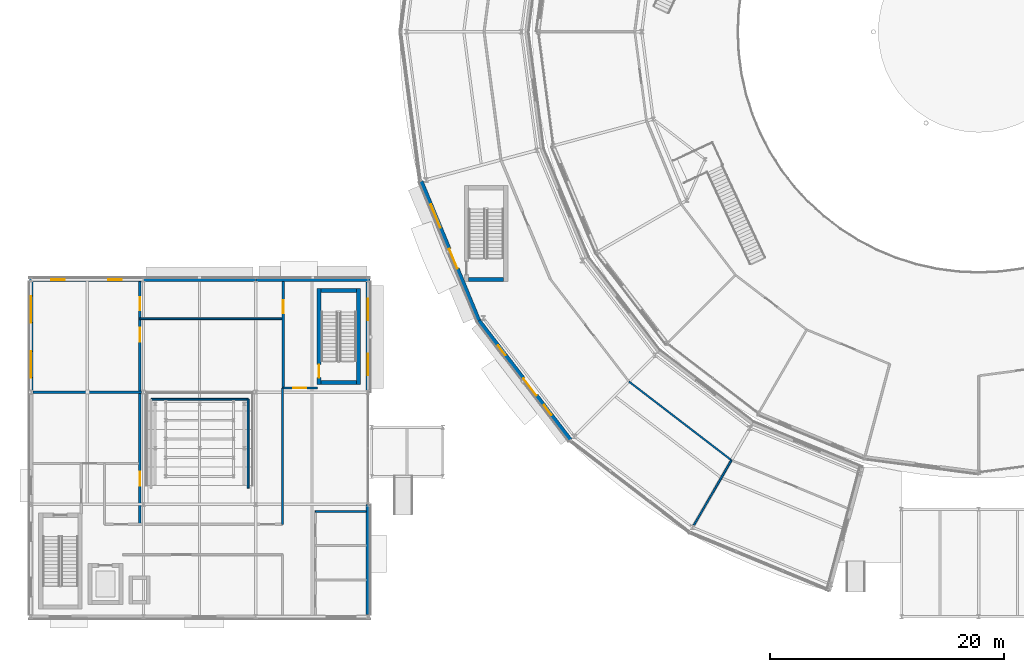
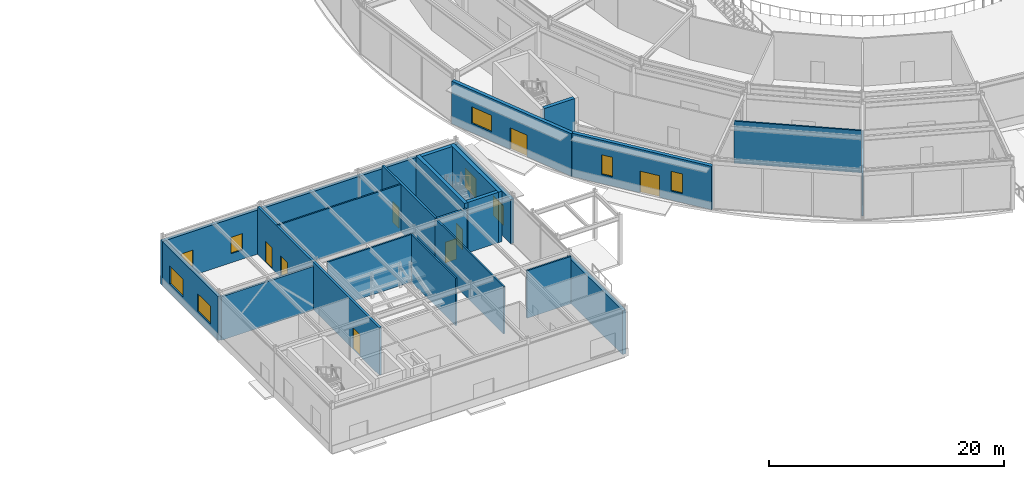
# One storey, part 118 of 168: 24 walls, 9 windows, 8 doors, 17 openings.
"""IFC4 building model written with IfcOpenShell, lengths in metres."""

from ifc_helpers import new_model, si_unit, direction, frame, frame_2d, origin, place, context, subcontext, project, spatial, rectangle, extrude, material, layer, layer_set, type_object, element, fill, save


model = new_model("IFC4")

# Units and contexts
model_context = context("Model", 3, precision=1e-05, world=origin(), true_north=direction((0.0, 1.0)))
body_context = subcontext(model_context, "Body", "Model", "MODEL_VIEW")
ifc_project = project(units=[si_unit("LENGTHUNIT", "METRE"), si_unit("AREAUNIT", "SQUARE_METRE"), si_unit("VOLUMEUNIT", "CUBIC_METRE"), si_unit("PLANEANGLEUNIT", "RADIAN"), si_unit("MASSUNIT", "GRAM", prefix="KILO")], contexts=[model_context])

# Site, building, storey
site_placement = place(None, origin())
site = spatial("IfcSite", under=ifc_project, at=site_placement, CompositionType="ELEMENT")
building_placement = place(site_placement, origin())
building = spatial("IfcBuilding", under=site, at=building_placement, Name="Almandine Court Research Institute", CompositionType="ELEMENT")
storey_placement = place(building_placement, origin())
storey = spatial("IfcBuildingStorey", under=building, at=storey_placement, Name="L00", CompositionType="ELEMENT", Elevation=0.0)

# Wall, openings, doors
ifc_material_1 = material(Name="STC-55 Double-Stud Lecture Acoustic Wall")
ifc_layer_1 = layer(ifc_material_1, 0.22509765625)
ifc_layer_set_1 = layer_set([ifc_layer_1], Name="STC-55 Double-Stud Lecture Acoustic Wall")
wall_type_1 = type_object("IfcWallType", Name="Wall-ACOUSTIC-225", PredefinedType="SOLIDWALL", material=ifc_layer_set_1)
wall_1_placement = place(storey_placement, frame((15.300048828125, 13.89990234375, 0.0), z_axis=(0.0, 0.0, 1.0), x_axis=(0.0, 1.0, 0.0)))
wall_1 = element("IfcWall", 1, at=wall_1_placement, inside=storey, type_object=wall_type_1, Name="L00 Interior Partition W-V1-L00-LECW", PredefinedType="SOLIDWALL", context=body_context, shape_type="SweptSolid", body=[
    extrude(rectangle(XDim=20.739990234375, YDim=0.22509765625, at=frame_2d((10.3701171875, 0.0))), origin(), (0.0, 0.0, 1.0), 4.929931640625),
])
opening_1_placement = place(wall_1_placement, frame((3.300048828125, 0.0, 0.0)))
opening_1 = element("IfcOpeningElement", 2, at=opening_1_placement, cuts=wall_1, Name="Opening D-04", PredefinedType="OPENING", context=body_context, shape_type="SweptSolid", body=[
    extrude(rectangle(XDim=1.199951171875, YDim=2.199951171875, at=frame_2d((0.60009765625, 1.10009765625))), frame((0.0, 0.12255859375, 0.0), z_axis=(0.0, -1.0, 0.0), x_axis=(1.0, 0.0, 0.0)), (0.0, 0.0, 1.0), 0.2451171875),
])
opening_2_placement = place(wall_1_placement, frame((15.60009765625, 0.0, 0.0)))
opening_2 = element("IfcOpeningElement", 3, at=opening_2_placement, cuts=wall_1, Name="Opening D-04", PredefinedType="OPENING", context=body_context, shape_type="SweptSolid", body=[
    extrude(rectangle(XDim=1.199951171875, YDim=2.199951171875, at=frame_2d((0.60009765625, 1.10009765625))), frame((0.0, 0.12255859375, 0.0), z_axis=(0.0, -1.0, 0.0), x_axis=(1.0, 0.0, 0.0)), (0.0, 0.0, 1.0), 0.2451171875),
])
opening_3_placement = place(wall_1_placement, frame((18.300048828125, 0.0, 0.0)))
opening_3 = element("IfcOpeningElement", 4, at=opening_3_placement, cuts=wall_1, Name="Opening D-03", PredefinedType="OPENING", context=body_context, shape_type="SweptSolid", body=[
    extrude(rectangle(XDim=1.10009765625, YDim=2.199951171875, at=frame_2d((0.550048828125, 1.10009765625))), frame((0.0, 0.12255859375, 0.0), z_axis=(0.0, -1.0, 0.0), x_axis=(1.0, 0.0, 0.0)), (0.0, 0.0, 1.0), 0.2451171875),
])
ifc_material_2 = material(Name="Acoustic Vision-Panel Seminar Door")
door_type_1 = type_object("IfcDoorType", Name="Door-INT-1100", OperationType="NOTDEFINED", PredefinedType="DOOR", material=ifc_material_2)
door_1_placement = place(opening_3_placement, origin())
door_1 = element("IfcDoor", 5, at=door_1_placement, inside=storey, type_object=door_type_1, Name="L00 Symposium Seminar North Door", OperationType="SINGLE_SWING_RIGHT", OverallHeight=2.199951171875, OverallWidth=1.10009765625, PredefinedType="DOOR", context=body_context, shape_type="SweptSolid", body=[
    extrude(rectangle(XDim=1.10009765625, YDim=2.199951171875, at=frame_2d((0.550048828125, 1.10009765625))), frame((0.0, 0.02490234375, 0.0), z_axis=(0.0, -1.0, 0.0), x_axis=(1.0, 0.0, 0.0)), (0.0, 0.0, 1.0), 0.050048828125),
])
fill(opening_3, door_1)
ifc_material_3 = material(Name="Wide Acoustic Laboratory Suite Door")
door_type_2 = type_object("IfcDoorType", Name="Door-INT-1200", OperationType="NOTDEFINED", PredefinedType="DOOR", material=ifc_material_3)
door_2_placement = place(opening_1_placement, origin())
door_2 = element("IfcDoor", 6, at=door_2_placement, inside=storey, type_object=door_type_2, Name="L00 Lecture Theatre Front Pit Door", OperationType="SINGLE_SWING_RIGHT", OverallHeight=2.199951171875, OverallWidth=1.199951171875, PredefinedType="DOOR", context=body_context, shape_type="SweptSolid", body=[
    extrude(rectangle(XDim=1.199951171875, YDim=2.199951171875, at=frame_2d((0.60009765625, 1.10009765625))), frame((0.0, 0.02490234375, 0.0), z_axis=(0.0, -1.0, 0.0), x_axis=(1.0, 0.0, 0.0)), (0.0, 0.0, 1.0), 0.050048828125),
])
fill(opening_1, door_2)
door_3_placement = place(opening_2_placement, origin())
door_3 = element("IfcDoor", 7, at=door_3_placement, inside=storey, type_object=door_type_2, Name="L00 Lecture Stage Side Door", OperationType="SINGLE_SWING_LEFT", OverallHeight=2.199951171875, OverallWidth=1.199951171875, PredefinedType="DOOR", context=body_context, shape_type="SweptSolid", body=[
    extrude(rectangle(XDim=1.199951171875, YDim=2.199951171875, at=frame_2d((0.60009765625, 1.10009765625))), frame((0.0, 0.02490234375, 0.0), z_axis=(0.0, -1.0, 0.0), x_axis=(1.0, 0.0, 0.0)), (0.0, 0.0, 1.0), 0.050048828125),
])
fill(opening_2, door_3)

# Wall, openings, windows
ifc_material_4 = material(Name="Acoustic Lecture Pavilion Masonry Wall", Category="masonry")
ifc_layer_2 = layer(ifc_material_4, 0.31005859375)
ifc_layer_set_2 = layer_set([ifc_layer_2], Name="Acoustic Lecture Pavilion Masonry Wall")
wall_type_2 = type_object("IfcWallType", Name="Wall-EXT-ACOU-310", PredefinedType="SOLIDWALL", material=ifc_layer_set_2)
wall_2_placement = place(storey_placement, frame((6.0, 25.2041015625, 0.0), z_axis=(0.0, 0.0, 1.0), x_axis=(0.0, 1.0, 0.0)))
wall_2 = element("IfcWall", 8, at=wall_2_placement, inside=storey, type_object=wall_type_2, Name="L00 Lecture Pavilion West Acoustic Wall 3", PredefinedType="SOLIDWALL", context=body_context, shape_type="SweptSolid", body=[
    extrude(rectangle(XDim=9.43701171875, YDim=0.31005859375, at=frame_2d((4.718505859375, 0.0))), origin(), (0.0, 0.0, 1.0), 4.583984375),
])
opening_4_placement = place(wall_2_placement, frame((1.22900390625, 0.0, 0.949951171875)))
opening_4 = element("IfcOpeningElement", 9, at=opening_4_placement, cuts=wall_2, Name="Opening WN-02", PredefinedType="OPENING", context=body_context, shape_type="SweptSolid", body=[
    extrude(rectangle(XDim=2.260009765625, YDim=1.860107421875, at=frame_2d((1.1298828125, 0.93017578125))), frame((0.0, 0.1650390625, 0.0), z_axis=(0.0, -1.0, 0.0), x_axis=(1.0, 0.0, 0.0)), (0.0, 0.0, 1.0), 0.330078125),
])
opening_5_placement = place(wall_2_placement, frame((5.947998046875, 0.0, 0.949951171875)))
opening_5 = element("IfcOpeningElement", 10, at=opening_5_placement, cuts=wall_2, Name="Opening WN-02", PredefinedType="OPENING", context=body_context, shape_type="SweptSolid", body=[
    extrude(rectangle(XDim=2.260009765625, YDim=1.860107421875, at=frame_2d((1.1298828125, 0.93017578125))), frame((0.0, 0.1650390625, 0.0), z_axis=(0.0, -1.0, 0.0), x_axis=(1.0, 0.0, 0.0)), (0.0, 0.0, 1.0), 0.330078125),
])
ifc_material_5 = material(Name="Thermally Broken Low-E Double-Glazed Window", Category="glass")
window_type_1 = type_object("IfcWindowType", Name="Win-WN-02-2260x1860", PartitioningType="SINGLE_PANEL", PredefinedType="WINDOW", material=ifc_material_5)
window_1_placement = place(opening_4_placement, origin())
window_1 = element("IfcWindow", 11, at=window_1_placement, inside=storey, type_object=window_type_1, Name="L00 Modular Recessed Low-E Window 3", OverallHeight=1.860107421875, OverallWidth=2.260009765625, PartitioningType="SINGLE_PANEL", PredefinedType="WINDOW", context=body_context, shape_type="SweptSolid", body=[
    extrude(rectangle(XDim=2.260009765625, YDim=1.860107421875, at=frame_2d((1.1298828125, 0.93017578125))), frame((0.0, 0.030029296875, 0.0), z_axis=(0.0, -1.0, 0.0), x_axis=(1.0, 0.0, 0.0)), (0.0, 0.0, 1.0), 0.06005859375),
])
fill(opening_4, window_1)
window_2_placement = place(opening_5_placement, origin())
window_2 = element("IfcWindow", 12, at=window_2_placement, inside=storey, type_object=window_type_1, Name="L00 Modular Recessed Low-E Window 4", OverallHeight=1.860107421875, OverallWidth=2.260009765625, PartitioningType="SINGLE_PANEL", PredefinedType="WINDOW", context=body_context, shape_type="SweptSolid", body=[
    extrude(rectangle(XDim=2.260009765625, YDim=1.860107421875, at=frame_2d((1.1298828125, 0.93017578125))), frame((0.0, 0.030029296875, 0.0), z_axis=(0.0, -1.0, 0.0), x_axis=(1.0, 0.0, 0.0)), (0.0, 0.0, 1.0), 0.06005859375),
])
fill(opening_5, window_2)

wall_3_placement = place(storey_placement, frame((5.844970703125, 34.800048828125, 0.0), z_axis=(0.0, 0.0, 1.0), x_axis=(1.0, 0.0, 0.0)))
wall_3 = element("IfcWall", 13, at=wall_3_placement, inside=storey, type_object=wall_type_2, Name="L00 Lecture Pavilion North Wall 1", PredefinedType="SOLIDWALL", context=body_context, shape_type="SweptSolid", body=[
    extrude(rectangle(XDim=9.7509765625, YDim=0.31005859375, at=frame_2d((4.87548828125, 0.0))), origin(), (0.0, 0.0, 1.0), 4.583984375),
])
opening_6_placement = place(wall_3_placement, frame((1.85791015625, 0.0, 0.949951171875)))
opening_6 = element("IfcOpeningElement", 14, at=opening_6_placement, cuts=wall_3, Name="Opening WN-03", PredefinedType="OPENING", context=body_context, shape_type="SweptSolid", body=[
    extrude(rectangle(XDim=1.159912109375, YDim=1.699951171875, at=frame_2d((0.580078125, 0.85009765625))), frame((0.0, 0.1650390625, 0.0), z_axis=(0.0, -1.0, 0.0), x_axis=(1.0, 0.0, 0.0)), (0.0, 0.0, 1.0), 0.330078125),
])
opening_7_placement = place(wall_3_placement, frame((6.73291015625, 0.0, 0.949951171875)))
opening_7 = element("IfcOpeningElement", 15, at=opening_7_placement, cuts=wall_3, Name="Opening WN-03", PredefinedType="OPENING", context=body_context, shape_type="SweptSolid", body=[
    extrude(rectangle(XDim=1.159912109375, YDim=1.699951171875, at=frame_2d((0.580078125, 0.85009765625))), frame((0.0, 0.1650390625, 0.0), z_axis=(0.0, -1.0, 0.0), x_axis=(1.0, 0.0, 0.0)), (0.0, 0.0, 1.0), 0.330078125),
])
window_type_2 = type_object("IfcWindowType", Name="Win-WN-03-1160x1700", PartitioningType="SINGLE_PANEL", PredefinedType="WINDOW", material=ifc_material_5)
window_3_placement = place(opening_6_placement, origin())
window_3 = element("IfcWindow", 16, at=window_3_placement, inside=storey, type_object=window_type_2, Name="L00 Modular Recessed Low-E Window 5", OverallHeight=1.699951171875, OverallWidth=1.159912109375, PartitioningType="SINGLE_PANEL", PredefinedType="WINDOW", context=body_context, shape_type="SweptSolid", body=[
    extrude(rectangle(XDim=1.159912109375, YDim=1.699951171875, at=frame_2d((0.580078125, 0.85009765625))), frame((0.0, 0.030029296875, 0.0), z_axis=(0.0, -1.0, 0.0), x_axis=(1.0, 0.0, 0.0)), (0.0, 0.0, 1.0), 0.06005859375),
])
fill(opening_6, window_3)
window_4_placement = place(opening_7_placement, origin())
window_4 = element("IfcWindow", 17, at=window_4_placement, inside=storey, type_object=window_type_2, Name="L00 Modular Recessed Low-E Window 6", OverallHeight=1.699951171875, OverallWidth=1.159912109375, PartitioningType="SINGLE_PANEL", PredefinedType="WINDOW", context=body_context, shape_type="SweptSolid", body=[
    extrude(rectangle(XDim=1.159912109375, YDim=1.699951171875, at=frame_2d((0.580078125, 0.85009765625))), frame((0.0, 0.030029296875, 0.0), z_axis=(0.0, -1.0, 0.0), x_axis=(1.0, 0.0, 0.0)), (0.0, 0.0, 1.0), 0.06005859375),
])
fill(opening_7, window_4)

# Walls
wall_4_placement = place(storey_placement, frame((15.60400390625, 34.800048828125, 0.0), z_axis=(0.0, 0.0, 1.0), x_axis=(1.0, 0.0, 0.0)))
element("IfcWall", 18, at=wall_4_placement, inside=storey, type_object=wall_type_2, Name="L00 Lecture Pavilion North Wall 2", PredefinedType="SOLIDWALL", context=body_context, shape_type="SweptSolid", body=[
    extrude(rectangle(XDim=9.592041015625, YDim=0.31005859375, at=frame_2d((4.7958984375, 0.0))), origin(), (0.0, 0.0, 1.0), 4.583984375),
])
wall_5_placement = place(storey_placement, frame((25.2041015625, 34.800048828125, 0.0), z_axis=(0.0, 0.0, 1.0), x_axis=(1.0, 0.0, 0.0)))
element("IfcWall", 19, at=wall_5_placement, inside=storey, type_object=wall_type_2, Name="L00 Lecture Pavilion North Wall 3", PredefinedType="SOLIDWALL", context=body_context, shape_type="SweptSolid", body=[
    extrude(rectangle(XDim=9.7509765625, YDim=0.31005859375, at=frame_2d((4.87548828125, 0.0))), origin(), (0.0, 0.0, 1.0), 4.583984375),
])
ifc_material_6 = material(Name="Andean Red-Buff Sandstone Plinth Wall", Category="masonry")
ifc_layer_3 = layer(ifc_material_6, 0.340087890625)
ifc_layer_set_3 = layer_set([ifc_layer_3], Name="Andean Red-Buff Sandstone Plinth Wall")
wall_type_3 = type_object("IfcWallType", Name="Wall-EXT-SAND-340", PredefinedType="SOLIDWALL", material=ifc_layer_set_3)
wall_6_placement = place(storey_placement, frame((34.800048828125, 15.595947265625, 0.0), z_axis=(0.0, 0.0, 1.0), x_axis=(0.0, -1.0, 0.0)))
element("IfcWall", 20, at=wall_6_placement, inside=storey, type_object=wall_type_3, Name="L00 Lecture Pavilion East Wall 1", PredefinedType="SOLIDWALL", context=body_context, shape_type="SweptSolid", body=[
    extrude(rectangle(XDim=9.421875, YDim=0.340087890625, at=frame_2d((4.7109375, 0.0))), origin(), (0.0, 0.0, 1.0), 4.583984375),
])

# Wall, openings, windows
wall_7_placement = place(storey_placement, frame((34.800048828125, 34.6259765625, 0.0), z_axis=(0.0, 0.0, 1.0), x_axis=(0.0, -1.0, 0.0)))
wall_7 = element("IfcWall", 21, at=wall_7_placement, inside=storey, type_object=wall_type_3, Name="L00 Lecture Pavilion East Wall 3", PredefinedType="SOLIDWALL", context=body_context, shape_type="SweptSolid", body=[
    extrude(rectangle(XDim=9.421875, YDim=0.340087890625, at=frame_2d((4.7109375, 0.0))), origin(), (0.0, 0.0, 1.0), 4.583984375),
])
opening_8_placement = place(wall_7_placement, frame((1.445068359375, 0.0, 0.949951171875)))
opening_8 = element("IfcOpeningElement", 22, at=opening_8_placement, cuts=wall_7, Name="Opening WN-04", PredefinedType="OPENING", context=body_context, shape_type="SweptSolid", body=[
    extrude(rectangle(XDim=1.820068359375, YDim=2.02001953125, at=frame_2d((0.91015625, 1.010009765625))), frame((0.0, 0.179931640625, 0.0), z_axis=(0.0, -1.0, 0.0), x_axis=(1.0, 0.0, 0.0)), (0.0, 0.0, 1.0), 0.360107421875),
])
opening_9_placement = place(wall_7_placement, frame((6.156005859375, 0.0, 0.949951171875)))
opening_9 = element("IfcOpeningElement", 23, at=opening_9_placement, cuts=wall_7, Name="Opening WN-04", PredefinedType="OPENING", context=body_context, shape_type="SweptSolid", body=[
    extrude(rectangle(XDim=1.820068359375, YDim=2.02001953125, at=frame_2d((0.91015625, 1.010009765625))), frame((0.0, 0.179931640625, 0.0), z_axis=(0.0, -1.0, 0.0), x_axis=(1.0, 0.0, 0.0)), (0.0, 0.0, 1.0), 0.360107421875),
])
window_type_3 = type_object("IfcWindowType", Name="Win-WN-04-1820x2020", PartitioningType="SINGLE_PANEL", PredefinedType="WINDOW", material=ifc_material_5)
window_5_placement = place(opening_8_placement, origin())
window_5 = element("IfcWindow", 24, at=window_5_placement, inside=storey, type_object=window_type_3, Name="L00 Modular Recessed Low-E Window 7", OverallHeight=2.02001953125, OverallWidth=1.820068359375, PartitioningType="SINGLE_PANEL", PredefinedType="WINDOW", context=body_context, shape_type="SweptSolid", body=[
    extrude(rectangle(XDim=1.820068359375, YDim=2.02001953125, at=frame_2d((0.91015625, 1.010009765625))), frame((0.0, 0.030029296875, 0.0), z_axis=(0.0, -1.0, 0.0), x_axis=(1.0, 0.0, 0.0)), (0.0, 0.0, 1.0), 0.06005859375),
])
fill(opening_8, window_5)
window_6_placement = place(opening_9_placement, origin())
window_6 = element("IfcWindow", 25, at=window_6_placement, inside=storey, type_object=window_type_3, Name="L00 Modular Recessed Low-E Window 8", OverallHeight=2.02001953125, OverallWidth=1.820068359375, PartitioningType="SINGLE_PANEL", PredefinedType="WINDOW", context=body_context, shape_type="SweptSolid", body=[
    extrude(rectangle(XDim=1.820068359375, YDim=2.02001953125, at=frame_2d((0.91015625, 1.010009765625))), frame((0.0, 0.030029296875, 0.0), z_axis=(0.0, -1.0, 0.0), x_axis=(1.0, 0.0, 0.0)), (0.0, 0.0, 1.0), 0.06005859375),
])
fill(opening_9, window_6)

# Wall, openings, door, window
wall_8_placement = place(storey_placement, frame((44.26806640625, 31.3349609375, 0.0), z_axis=(0.0, 0.0, 1.0), x_axis=(-0.382709793584, 0.923868612896, 0.0)))
wall_8 = element("IfcWall", 26, at=wall_8_placement, inside=storey, type_object=wall_type_3, Name="L00 Drum Outer Facade Wall 13", PredefinedType="SOLIDWALL", context=body_context, shape_type="SweptSolid", body=[
    extrude(rectangle(XDim=12.868896484375, YDim=0.340087890625, at=frame_2d((6.4345703125, 0.0))), origin(), (0.0, 0.0, 1.0), 4.43310546875),
])
opening_10_placement = place(wall_8_placement, frame((4.800048828125, 0.0, 0.0)))
opening_10 = element("IfcOpeningElement", 27, at=opening_10_placement, cuts=wall_8, Name="Opening EX-02", PredefinedType="OPENING", context=body_context, shape_type="SweptSolid", body=[
    extrude(rectangle(XDim=1.800048828125, YDim=2.25, at=frame_2d((0.89990234375, 1.125))), frame((0.0, 0.179931640625, 0.0), z_axis=(0.0, -1.0, 0.0), x_axis=(1.0, 0.0, 0.0)), (0.0, 0.0, 1.0), 0.360107421875),
])
opening_11_placement = place(wall_8_placement, frame((8.576904296875, 0.0, 0.949951171875)))
opening_11 = element("IfcOpeningElement", 28, at=opening_11_placement, cuts=wall_8, Name="Opening WN-108", PredefinedType="OPENING", context=body_context, shape_type="SweptSolid", body=[
    extrude(rectangle(XDim=2.14990234375, YDim=1.72998046875, at=frame_2d((1.074951171875, 0.864990234375))), frame((0.0, 0.179931640625, 0.0), z_axis=(0.0, -1.0, 0.0), x_axis=(1.0, 0.0, 0.0)), (0.0, 0.0, 1.0), 0.360107421875),
])
ifc_material_7 = material(Name="Anodised Aluminium Exit Discharge Door", Category="aluminium")
door_type_3 = type_object("IfcDoorType", Name="Door-EX-1800", OperationType="DOUBLE_DOOR_SINGLE_SWING", PredefinedType="DOOR", material=ifc_material_7)
door_4_placement = place(opening_10_placement, origin())
door_4 = element("IfcDoor", 29, at=door_4_placement, inside=storey, type_object=door_type_3, Name="L00 Drum Courtyard Exit Door 13", OperationType="DOUBLE_DOOR_SINGLE_SWING", OverallHeight=2.25, OverallWidth=1.800048828125, PredefinedType="DOOR", context=body_context, shape_type="SweptSolid", body=[
    extrude(rectangle(XDim=1.800048828125, YDim=2.25, at=frame_2d((0.89990234375, 1.125))), frame((0.0, 0.02490234375, 0.0), z_axis=(0.0, -1.0, 0.0), x_axis=(1.0, 0.0, 0.0)), (0.0, 0.0, 1.0), 0.050048828125),
])
fill(opening_10, door_4)
window_type_4 = type_object("IfcWindowType", Name="Win-WN-108-2150x1730", PartitioningType="SINGLE_PANEL", PredefinedType="WINDOW", material=ifc_material_5)
window_7_placement = place(opening_11_placement, origin())
window_7 = element("IfcWindow", 30, at=window_7_placement, inside=storey, type_object=window_type_4, Name="L00 Modular Recessed Low-E Window 232", OverallHeight=1.72998046875, OverallWidth=2.14990234375, PartitioningType="SINGLE_PANEL", PredefinedType="WINDOW", context=body_context, shape_type="SweptSolid", body=[
    extrude(rectangle(XDim=2.14990234375, YDim=1.72998046875, at=frame_2d((1.074951171875, 0.864990234375))), frame((0.0, 0.030029296875, 0.0), z_axis=(0.0, -1.0, 0.0), x_axis=(1.0, 0.0, 0.0)), (0.0, 0.0, 1.0), 0.06005859375),
])
fill(opening_11, window_7)

# Wall, openings, door, windows
wall_9_placement = place(storey_placement, frame((52.10791015625, 21.115966796875, 0.0), z_axis=(0.0, 0.0, 1.0), x_axis=(-0.608778799465, 0.79334001117, 0.0)))
wall_9 = element("IfcWall", 31, at=wall_9_placement, inside=storey, type_object=wall_type_3, Name="L00 Drum Outer Facade Wall 14", PredefinedType="SOLIDWALL", context=body_context, shape_type="SweptSolid", body=[
    extrude(rectangle(XDim=12.868408203125, YDim=0.340087890625, at=frame_2d((6.43408203125, 0.0))), origin(), (0.0, 0.0, 1.0), 4.51611328125),
])
opening_12_placement = place(wall_9_placement, frame((4.800048828125, 0.0, 0.0)))
opening_12 = element("IfcOpeningElement", 32, at=opening_12_placement, cuts=wall_9, Name="Opening EX-02", PredefinedType="OPENING", context=body_context, shape_type="SweptSolid", body=[
    extrude(rectangle(XDim=1.800048828125, YDim=2.25, at=frame_2d((0.89990234375, 1.125))), frame((0.0, 0.179931640625, 0.0), z_axis=(0.0, -1.0, 0.0), x_axis=(1.0, 0.0, 0.0)), (0.0, 0.0, 1.0), 0.360107421875),
])
opening_13_placement = place(wall_9_placement, frame((2.69189453125, 0.0, 0.949951171875)))
opening_13 = element("IfcOpeningElement", 33, at=opening_13_placement, cuts=wall_9, Name="Opening WN-110", PredefinedType="OPENING", context=body_context, shape_type="SweptSolid", body=[
    extrude(rectangle(XDim=1.050048828125, YDim=2.050048828125, at=frame_2d((0.52490234375, 1.02490234375))), frame((0.0, 0.179931640625, 0.0), z_axis=(0.0, -1.0, 0.0), x_axis=(1.0, 0.0, 0.0)), (0.0, 0.0, 1.0), 0.360107421875),
])
opening_14_placement = place(wall_9_placement, frame((9.1259765625, 0.0, 0.949951171875)))
opening_14 = element("IfcOpeningElement", 34, at=opening_14_placement, cuts=wall_9, Name="Opening WN-110", PredefinedType="OPENING", context=body_context, shape_type="SweptSolid", body=[
    extrude(rectangle(XDim=1.050048828125, YDim=2.050048828125, at=frame_2d((0.52490234375, 1.02490234375))), frame((0.0, 0.179931640625, 0.0), z_axis=(0.0, -1.0, 0.0), x_axis=(1.0, 0.0, 0.0)), (0.0, 0.0, 1.0), 0.360107421875),
])
door_5_placement = place(opening_12_placement, origin())
door_5 = element("IfcDoor", 35, at=door_5_placement, inside=storey, type_object=door_type_3, Name="L00 Drum Courtyard Exit Door 14", OperationType="DOUBLE_DOOR_SINGLE_SWING", OverallHeight=2.25, OverallWidth=1.800048828125, PredefinedType="DOOR", context=body_context, shape_type="SweptSolid", body=[
    extrude(rectangle(XDim=1.800048828125, YDim=2.25, at=frame_2d((0.89990234375, 1.125))), frame((0.0, 0.02490234375, 0.0), z_axis=(0.0, -1.0, 0.0), x_axis=(1.0, 0.0, 0.0)), (0.0, 0.0, 1.0), 0.050048828125),
])
fill(opening_12, door_5)
window_type_5 = type_object("IfcWindowType", Name="Win-WN-110-1050x2050", PartitioningType="SINGLE_PANEL", PredefinedType="WINDOW", material=ifc_material_5)
window_8_placement = place(opening_13_placement, origin())
window_8 = element("IfcWindow", 36, at=window_8_placement, inside=storey, type_object=window_type_5, Name="L00 Modular Recessed Low-E Window 234", OverallHeight=2.050048828125, OverallWidth=1.050048828125, PartitioningType="SINGLE_PANEL", PredefinedType="WINDOW", context=body_context, shape_type="SweptSolid", body=[
    extrude(rectangle(XDim=1.050048828125, YDim=2.050048828125, at=frame_2d((0.52490234375, 1.02490234375))), frame((0.0, 0.030029296875, 0.0), z_axis=(0.0, -1.0, 0.0), x_axis=(1.0, 0.0, 0.0)), (0.0, 0.0, 1.0), 0.06005859375),
])
fill(opening_13, window_8)
window_9_placement = place(opening_14_placement, origin())
window_9 = element("IfcWindow", 37, at=window_9_placement, inside=storey, type_object=window_type_5, Name="L00 Modular Recessed Low-E Window 235", OverallHeight=2.050048828125, OverallWidth=1.050048828125, PartitioningType="SINGLE_PANEL", PredefinedType="WINDOW", context=body_context, shape_type="SweptSolid", body=[
    extrude(rectangle(XDim=1.050048828125, YDim=2.050048828125, at=frame_2d((0.52490234375, 1.02490234375))), frame((0.0, 0.030029296875, 0.0), z_axis=(0.0, -1.0, 0.0), x_axis=(1.0, 0.0, 0.0)), (0.0, 0.0, 1.0), 0.06005859375),
])
fill(opening_14, window_9)

# Wall
ifc_material_8 = material(Name="Two-Hour Fire-Barrier Enclosure Wall")
ifc_layer_4 = layer(ifc_material_8, 0.199951171875)
ifc_layer_set_4 = layer_set([ifc_layer_4], Name="Two-Hour Fire-Barrier Enclosure Wall")
wall_type_4 = type_object("IfcWallType", Name="Wall-FIRE-200", PredefinedType="SOLIDWALL", material=ifc_layer_set_4)
wall_10_placement = place(storey_placement, frame((6.159912109375, 25.199951171875, 0.0), z_axis=(0.0, 0.0, 1.0), x_axis=(1.0, 0.0, 0.0)))
element("IfcWall", 38, at=wall_10_placement, inside=storey, type_object=wall_type_4, Name="L00 Interior Partition W-BF-V1-BF1-L00", PredefinedType="SOLIDWALL", context=body_context, shape_type="SweptSolid", body=[
    extrude(rectangle(XDim=9.280029296875, YDim=0.199951171875, at=frame_2d((4.64013671875, 0.0))), origin(), (0.0, 0.0, 1.0), 4.51708984375),
])

# Wall, opening, door
wall_11_placement = place(storey_placement, frame((27.550048828125, 25.550048828125, 0.0), z_axis=(0.0, 0.0, 1.0), x_axis=(1.0, 0.0, 0.0)))
wall_11 = element("IfcWall", 39, at=wall_11_placement, inside=storey, type_object=wall_type_4, Name="L00 Interior Partition W-EP-ST02-S", PredefinedType="SOLIDWALL", context=body_context, shape_type="SweptSolid", body=[
    extrude(rectangle(XDim=2.949951171875, YDim=0.199951171875, at=frame_2d((1.47509765625, 0.0))), origin(), (0.0, 0.0, 1.0), 4.929931640625),
])
opening_15_placement = place(wall_11_placement, frame((0.85009765625, 0.0, 0.0)))
opening_15 = element("IfcOpeningElement", 40, at=opening_15_placement, cuts=wall_11, Name="Opening FD-FFL", PredefinedType="OPENING", context=body_context, shape_type="SweptSolid", body=[
    extrude(rectangle(XDim=1.10009765625, YDim=2.14990234375, at=frame_2d((0.550048828125, 1.074951171875))), frame((0.0, 0.10986328125, 0.0), z_axis=(0.0, -1.0, 0.0), x_axis=(1.0, 0.0, 0.0)), (0.0, 0.0, 1.0), 0.219970703125),
])
ifc_material_9 = material(Name="Smoke-Tight Firefighting Lobby Fire Door")
door_type_4 = type_object("IfcDoorType", Name="Door-FD-FFL-1100", OperationType="NOTDEFINED", PredefinedType="DOOR", material=ifc_material_9)
door_6_placement = place(opening_15_placement, origin())
door_6 = element("IfcDoor", 41, at=door_6_placement, inside=storey, type_object=door_type_4, Name="L00 ST-02 Exit Passageway Fire Door", OperationType="SINGLE_SWING_RIGHT", OverallHeight=2.14990234375, OverallWidth=1.10009765625, PredefinedType="DOOR", context=body_context, shape_type="SweptSolid", body=[
    extrude(rectangle(XDim=1.10009765625, YDim=2.14990234375, at=frame_2d((0.550048828125, 1.074951171875))), frame((0.0, 0.02490234375, 0.0), z_axis=(0.0, -1.0, 0.0), x_axis=(1.0, 0.0, 0.0)), (0.0, 0.0, 1.0), 0.050048828125),
])
fill(opening_15, door_6)

wall_12_placement = place(storey_placement, frame((27.550048828125, 25.550048828125, 0.0), z_axis=(0.0, 0.0, 1.0), x_axis=(0.0, 1.0, 0.0)))
wall_12 = element("IfcWall", 42, at=wall_12_placement, inside=storey, type_object=wall_type_4, Name="L00 Interior Partition W-EP-ST02-W", PredefinedType="SOLIDWALL", context=body_context, shape_type="SweptSolid", body=[
    extrude(rectangle(XDim=9.08984375, YDim=0.199951171875, at=frame_2d((4.544921875, 0.0))), origin(), (0.0, 0.0, 1.0), 4.929931640625),
])
opening_16_placement = place(wall_12_placement, frame((6.39990234375, 0.0, 0.0)))
opening_16 = element("IfcOpeningElement", 43, at=opening_16_placement, cuts=wall_12, Name="Opening FD-FFL", PredefinedType="OPENING", context=body_context, shape_type="SweptSolid", body=[
    extrude(rectangle(XDim=1.10009765625, YDim=2.14990234375, at=frame_2d((0.550048828125, 1.074951171875))), frame((0.0, 0.10986328125, 0.0), z_axis=(0.0, -1.0, 0.0), x_axis=(1.0, 0.0, 0.0)), (0.0, 0.0, 1.0), 0.219970703125),
])
door_7_placement = place(opening_16_placement, origin())
door_7 = element("IfcDoor", 44, at=door_7_placement, inside=storey, type_object=door_type_4, Name="L00 ST-02 North Corridor Fire Door", OperationType="SINGLE_SWING_LEFT", OverallHeight=2.14990234375, OverallWidth=1.10009765625, PredefinedType="DOOR", context=body_context, shape_type="SweptSolid", body=[
    extrude(rectangle(XDim=1.10009765625, YDim=2.14990234375, at=frame_2d((0.550048828125, 1.074951171875))), frame((0.0, 0.02490234375, 0.0), z_axis=(0.0, -1.0, 0.0), x_axis=(1.0, 0.0, 0.0)), (0.0, 0.0, 1.0), 0.050048828125),
])
fill(opening_16, door_7)

# Walls
ifc_material_10 = material(Name="Acoustic Steel-Stud Gypsum Partition Wall", Category="steel")
ifc_layer_5 = layer(ifc_material_10, 0.14990234375)
ifc_layer_set_5 = layer_set([ifc_layer_5], Name="Acoustic Steel-Stud Gypsum Partition Wall")
wall_type_5 = type_object("IfcWallType", Name="Wall-PART-150", PredefinedType="PARTITIONING", material=ifc_layer_set_5)
wall_13_placement = place(storey_placement, frame((24.550048828125, 17.0, 0.0), z_axis=(0.0, 0.0, 1.0), x_axis=(0.0, 1.0, 0.0)))
element("IfcWall", 45, at=wall_13_placement, inside=storey, type_object=wall_type_5, Name="L00 Interior Partition W-V1-TIER-E", PredefinedType="PARTITIONING", context=body_context, shape_type="SweptSolid", body=[
    extrude(rectangle(XDim=7.60009765625, YDim=0.14990234375, at=frame_2d((3.800048828125, 0.0))), origin(), (0.0, 0.0, 1.0), 4.929931640625),
])
wall_14_placement = place(storey_placement, frame((16.25, 24.60009765625, 0.0), z_axis=(0.0, 0.0, 1.0), x_axis=(1.0, 0.0, 0.0)))
element("IfcWall", 46, at=wall_14_placement, inside=storey, type_object=wall_type_5, Name="L00 Interior Partition W-V1-TIER-N", PredefinedType="PARTITIONING", context=body_context, shape_type="SweptSolid", body=[
    extrude(rectangle(XDim=8.300048828125, YDim=0.14990234375, at=frame_2d((4.14990234375, 0.0))), origin(), (0.0, 0.0, 1.0), 4.929931640625),
])
wall_15_placement = place(storey_placement, frame((30.300048828125, 15.0, 0.0), z_axis=(0.0, 0.0, 1.0), x_axis=(1.0, 0.0, 0.0)))
element("IfcWall", 47, at=wall_15_placement, inside=storey, type_object=wall_type_5, Name="L00 Interior Partition W-V1-L00-WCH-3", PredefinedType="PARTITIONING", context=body_context, shape_type="SweptSolid", body=[
    extrude(rectangle(XDim=4.33984375, YDim=0.14990234375, at=frame_2d((2.169921875, 0.0))), origin(), (0.0, 0.0, 1.0), 4.929931640625),
])
wall_16_placement = place(storey_placement, frame((27.47998046875, 13.89990234375, 0.0), z_axis=(0.0, 0.0, 1.0), x_axis=(0.0, 1.0, 0.0)))
element("IfcWall", 48, at=wall_16_placement, inside=storey, type_object=wall_type_5, Name="L00 Interior Partition W-V1-L00-VESTE-SIDE", PredefinedType="PARTITIONING", context=body_context, shape_type="SweptSolid", body=[
    extrude(rectangle(XDim=11.650146484375, YDim=0.14990234375, at=frame_2d((5.8251953125, 0.0))), origin(), (0.0, 0.0, 1.0), 4.929931640625),
])
wall_17_placement = place(storey_placement, frame((15.300048828125, 31.47998046875, 0.0), z_axis=(0.0, 0.0, 1.0), x_axis=(1.0, 0.0, 0.0)))
element("IfcWall", 49, at=wall_17_placement, inside=storey, type_object=wall_type_5, Name="L00 Interior Partition W-V1-L00-STGN", PredefinedType="PARTITIONING", context=body_context, shape_type="SweptSolid", body=[
    extrude(rectangle(XDim=12.25, YDim=0.14990234375, at=frame_2d((6.125, 0.0))), origin(), (0.0, 0.0, 1.0), 4.929931640625),
])
wall_18_placement = place(storey_placement, frame((57.10400390625, 26.10400390625, 0.0), z_axis=(0.0, 0.0, 1.0), x_axis=(0.793301872689, -0.608828497024, 0.0)))
element("IfcWall", 50, at=wall_18_placement, inside=storey, type_object=wall_type_5, Name="L00 Interior Partition W-V5-L00-CHD-15", PredefinedType="PARTITIONING", context=body_context, shape_type="SweptSolid", body=[
    extrude(rectangle(XDim=11.03759765625, YDim=0.14990234375, at=frame_2d((5.518798828125, 0.0))), origin(), (0.0, 0.0, 1.0), 4.39111328125),
])
wall_19_placement = place(storey_placement, frame((65.860107421875, 19.384033203125, 0.0), z_axis=(0.0, 0.0, 1.0), x_axis=(-0.500028729123, -0.866008816382, 0.0)))
element("IfcWall", 51, at=wall_19_placement, inside=storey, type_object=wall_type_5, Name="L00 Interior Partition W-V5-L00-RAD-16", PredefinedType="PARTITIONING", context=body_context, shape_type="SweptSolid", body=[
    extrude(rectangle(XDim=6.43994140625, YDim=0.14990234375, at=frame_2d((3.219970703125, 0.0))), origin(), (0.0, 0.0, 1.0), 4.39111328125),
])

# Wall, opening, door
ifc_material_11 = material(Name="Concrete C40/50", Category="concrete")
ifc_layer_6 = layer(ifc_material_11, 0.35009765625)
ifc_layer_set_6 = layer_set([ifc_layer_6], Name="Concrete C40/50")
wall_type_6 = type_object("IfcWallType", Name="Wall-SW-CORE-350", PredefinedType="SHEAR", material=ifc_layer_set_6)
wall_20_placement = place(storey_placement, frame((30.625, 25.85009765625, 0.0), z_axis=(0.0, 0.0, 1.0), x_axis=(0.0, 1.0, 0.0)))
wall_20 = element("IfcWall", 52, at=wall_20_placement, inside=storey, type_object=wall_type_6, Name="L00 ST-02 W Shear Wall", PredefinedType="SHEAR", context=body_context, shape_type="SweptSolid", body=[
    extrude(rectangle(XDim=8.199951171875, YDim=0.35009765625, at=frame_2d((4.10009765625, 0.0))), origin(), (0.0, 0.0, 1.0), 5.25),
])
opening_17_placement = place(wall_20_placement, frame((0.60009765625, 0.0, 0.0)))
opening_17 = element("IfcOpeningElement", 53, at=opening_17_placement, cuts=wall_20, Name="Opening FD-STAIR", PredefinedType="OPENING", context=body_context, shape_type="SweptSolid", body=[
    extrude(rectangle(XDim=1.10009765625, YDim=2.14990234375, at=frame_2d((0.550048828125, 1.074951171875))), frame((0.0, 0.18505859375, 0.0), z_axis=(0.0, -1.0, 0.0), x_axis=(1.0, 0.0, 0.0)), (0.0, 0.0, 1.0), 0.3701171875),
])
ifc_material_12 = material(Name="Self-Closing Steel Exit Stair Fire Door", Category="steel")
door_type_5 = type_object("IfcDoorType", Name="Door-FD-STAIR-1100", OperationType="NOTDEFINED", PredefinedType="DOOR", material=ifc_material_12)
door_8_placement = place(opening_17_placement, origin())
door_8 = element("IfcDoor", 54, at=door_8_placement, inside=storey, type_object=door_type_5, Name="L00 Exit Stair ST-02 Fire Door", OperationType="SINGLE_SWING_LEFT", OverallHeight=2.14990234375, OverallWidth=1.10009765625, PredefinedType="DOOR", context=body_context, shape_type="SweptSolid", body=[
    extrude(rectangle(XDim=1.10009765625, YDim=2.14990234375, at=frame_2d((0.550048828125, 1.074951171875))), frame((0.0, 0.02490234375, 0.0), z_axis=(0.0, -1.0, 0.0), x_axis=(1.0, 0.0, 0.0)), (0.0, 0.0, 1.0), 0.050048828125),
])
fill(opening_17, door_8)

# Walls
wall_21_placement = place(storey_placement, frame((30.800048828125, 33.875, 0.0), z_axis=(0.0, 0.0, 1.0), x_axis=(1.0, 0.0, 0.0)))
element("IfcWall", 55, at=wall_21_placement, inside=storey, type_object=wall_type_6, Name="L00 ST-02 N Shear Wall", PredefinedType="SHEAR", context=body_context, shape_type="SweptSolid", body=[
    extrude(rectangle(XDim=3.0, YDim=0.35009765625, at=frame_2d((1.5, 0.0))), origin(), (0.0, 0.0, 1.0), 5.25),
])
wall_22_placement = place(storey_placement, frame((33.97509765625, 34.050048828125, 0.0), z_axis=(0.0, 0.0, 1.0), x_axis=(0.0, -1.0, 0.0)))
element("IfcWall", 56, at=wall_22_placement, inside=storey, type_object=wall_type_6, Name="L00 ST-02 E Shear Wall", PredefinedType="SHEAR", context=body_context, shape_type="SweptSolid", body=[
    extrude(rectangle(XDim=8.199951171875, YDim=0.35009765625, at=frame_2d((4.10009765625, 0.0))), origin(), (0.0, 0.0, 1.0), 5.25),
])
for number, where, z_axis, x_axis, name in (
    (57, (33.800048828125, 26.02490234375, 0.0), (0.0, 0.0, 1.0), (-1.0, 0.0, 0.0), "L00 ST-02 S Shear Wall"),
    (58, (46.39990234375, 34.824951171875, 0.0), (0.0, 0.0, 1.0), (-1.0, 0.0, 0.0), "L00 ST-17 S Shear Wall"),
):
    element("IfcWall", number, at=place(storey_placement, frame(where, z_axis=z_axis, x_axis=x_axis)), inside=storey, type_object=wall_type_6, Name=name, PredefinedType="SHEAR", context=body_context, shape_type="SweptSolid", body=[
        extrude(rectangle(XDim=3.0, YDim=0.35009765625, at=frame_2d((1.5, 0.0))), origin(), (0.0, 0.0, 1.0), 5.25),
    ])

save(model, "model.ifc")
